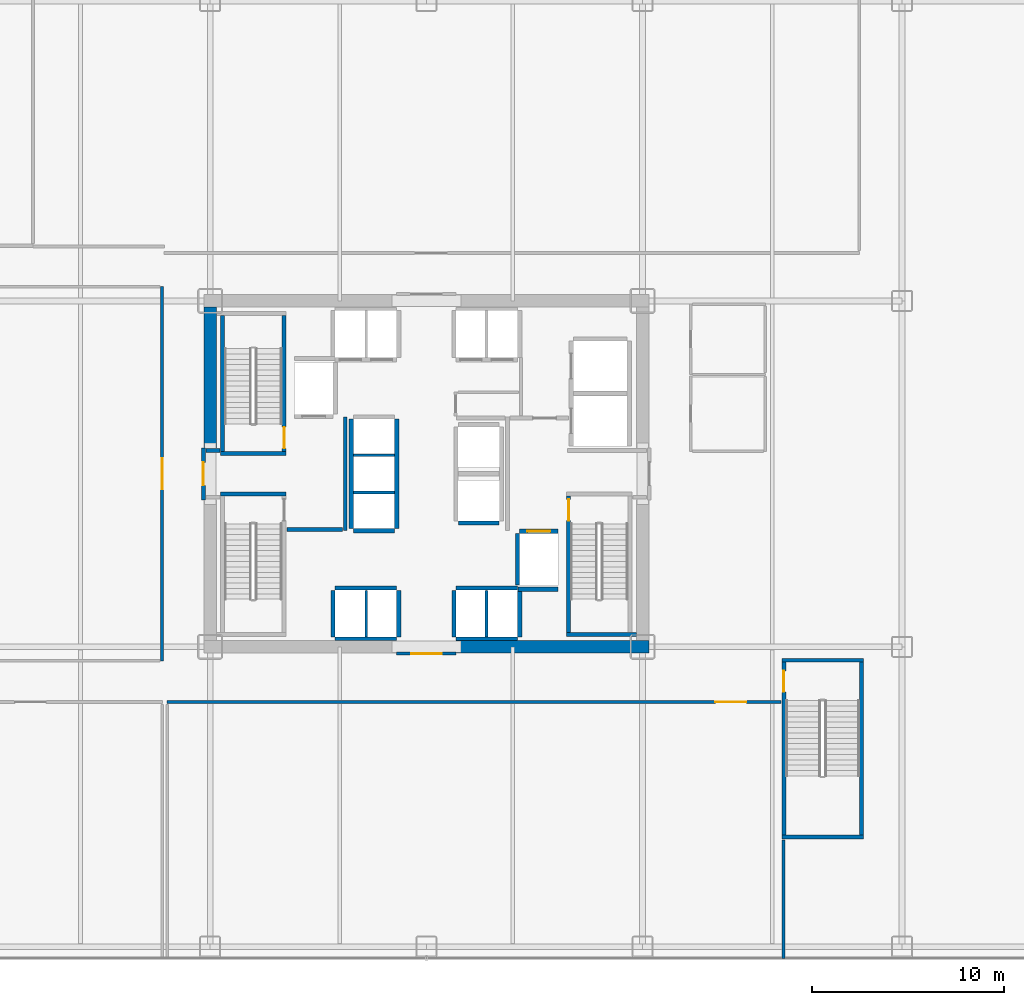
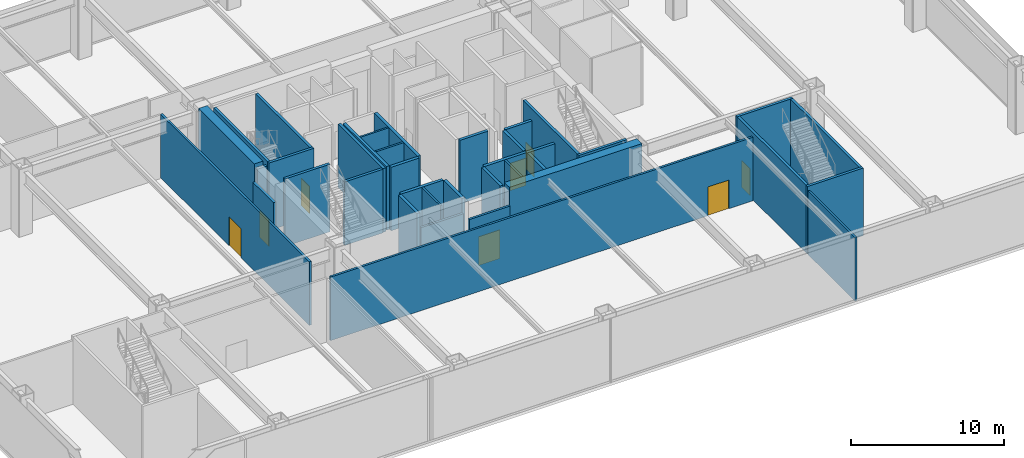
# One storey, part 17 of 24: 39 walls, 8 doors, 8 openings.
"""IFC4 building model written with IfcOpenShell, lengths in metres."""

from ifc_helpers import new_model, si_unit, direction, frame, frame_2d, origin, place, context, subcontext, project, spatial, rectangle, extrude, source, transform, mapped, material, layer, layer_set, type_object, element, fill, save


model = new_model("IFC4")

# Units and contexts
model_context = context("Model", 3, precision=1e-05, world=origin(), true_north=direction((0.0, 1.0)))
body_context = subcontext(model_context, "Body", "Model", "MODEL_VIEW")
ifc_project = project(units=[si_unit("LENGTHUNIT", "METRE"), si_unit("AREAUNIT", "SQUARE_METRE"), si_unit("VOLUMEUNIT", "CUBIC_METRE"), si_unit("PLANEANGLEUNIT", "RADIAN"), si_unit("MASSUNIT", "GRAM", prefix="KILO")], contexts=[model_context])

# Site, building, storey
site_placement = place(None, origin())
site = spatial("IfcSite", under=ifc_project, at=site_placement, CompositionType="ELEMENT")
building_placement = place(site_placement, origin())
building = spatial("IfcBuilding", under=site, at=building_placement, Name="Nefas-Gora Pilgrimage Tower", CompositionType="ELEMENT")
storey_placement = place(building_placement, frame((0.0, 0.0, 6.0)))
storey = spatial("IfcBuildingStorey", under=building, at=storey_placement, Name="L01", CompositionType="ELEMENT", Elevation=6.0)

# Walls
ifc_material_1 = material(Name="Concrete C60/75", Category="concrete")
ifc_layer_1 = layer(ifc_material_1, 0.64990234375)
ifc_layer_set_1 = layer_set([ifc_layer_1], Name="Concrete C60/75")
wall_type_1 = type_object("IfcWallType", Name="SW-CORE-650", PredefinedType="SHEAR", material=ifc_layer_set_1)
shared_shape_1 = source(origin(), body_context, "Body", "SweptSolid", [
    extrude(rectangle(XDim=10.02490234375, YDim=0.64990234375, at=frame_2d((5.012451171875, 0.0))), origin(), (0.0, 0.0, 1.0), 5.39990234375),
])
wall_1_placement = place(storey_placement, frame((1.550048828125, -9.0, 0.0), z_axis=(0.0, 0.0, 1.0), x_axis=(1.0, 0.0, 0.0)))
element("IfcWall", 1, at=wall_1_placement, inside=storey, type_object=wall_type_1, Name="L01 Core Shear Wall S-East", PredefinedType="SHEAR", context=body_context, shape_type="MappedRepresentation", body=[
    mapped(shared_shape_1, transform((0.0, 0.0, 0.0), x_axis=(1.0, 0.0, 0.0), y_axis=(0.0, 1.0, 0.0), z_axis=(0.0, 0.0, 1.0), scale=1.0)),
])
shared_shape_2 = source(origin(), body_context, "Body", "SweptSolid", [
    extrude(rectangle(XDim=7.324951171875, YDim=0.64990234375, at=frame_2d((3.66259765625, 0.0))), origin(), (0.0, 0.0, 1.0), 5.39990234375),
])
wall_2_placement = place(storey_placement, frame((-11.25, 1.35009765625, 0.0), z_axis=(0.0, 0.0, 1.0), x_axis=(0.0, 1.0, 0.0)))
element("IfcWall", 2, at=wall_2_placement, inside=storey, type_object=wall_type_1, Name="L01 Core Shear Wall W-North", PredefinedType="SHEAR", context=body_context, shape_type="MappedRepresentation", body=[
    mapped(shared_shape_2, transform((0.0, 0.0, 0.0), x_axis=(1.0, 0.0, 0.0), y_axis=(0.0, 1.0, 0.0), z_axis=(0.0, 0.0, 1.0), scale=1.0)),
])
ifc_material_2 = material(Name="Concrete C45/55", Category="concrete")
ifc_layer_2 = layer(ifc_material_2, 0.199951171875)
ifc_layer_set_2 = layer_set([ifc_layer_2], Name="Concrete C45/55")
wall_type_2 = type_object("IfcWallType", Name="IW-STAIR-200", PredefinedType="SOLIDWALL", material=ifc_layer_set_2)
shared_shape_3 = source(origin(), body_context, "Body", "SweptSolid", [
    extrude(rectangle(XDim=3.39990234375, YDim=0.199951171875, at=frame_2d((1.699951171875, 0.0))), origin(), (0.0, 0.0, 1.0), 5.39990234375),
])
for number, where, z_axis, x_axis, name in (
    (3, (-7.300048828125, 1.050048828125, 0.0), (0.0, 0.0, 1.0), (-1.0, 0.0, 0.0), "L01 Stairwell Shear Wall ST-01-near"),
    (4, (-10.699951171875, -1.050048828125, 0.0), (0.0, 0.0, 1.0), (1.0, 0.0, 0.0), "L01 Stairwell Shear Wall ST-03-near"),
):
    element("IfcWall", number, at=place(storey_placement, frame(where, z_axis=z_axis, x_axis=x_axis)), inside=storey, type_object=wall_type_2, Name=name, PredefinedType="SOLIDWALL", context=body_context, shape_type="MappedRepresentation", body=[
        mapped(shared_shape_3, transform((0.0, 0.0, 0.0), x_axis=(1.0, 0.0, 0.0), y_axis=(0.0, 1.0, 0.0), z_axis=(0.0, 0.0, 1.0), scale=1.0)),
    ])
shared_shape_4 = source(origin(), body_context, "Body", "SweptSolid", [
    extrude(rectangle(XDim=3.6298828125, YDim=0.199951171875, at=frame_2d((1.81494140625, 0.0))), origin(), (0.0, 0.0, 1.0), 5.39990234375),
])
wall_3_placement = place(storey_placement, frame((7.300048828125, -8.35009765625, 0.0), z_axis=(0.0, 0.0, 1.0), x_axis=(1.0, 0.0, 0.0)))
element("IfcWall", 5, at=wall_3_placement, inside=storey, type_object=wall_type_2, Name="L01 Stairwell Shear Wall ST-02-far", PredefinedType="SOLIDWALL", context=body_context, shape_type="MappedRepresentation", body=[
    mapped(shared_shape_4, transform((0.0, 0.0, 0.0), x_axis=(1.0, 0.0, 0.0), y_axis=(0.0, 1.0, 0.0), z_axis=(0.0, 0.0, 1.0), scale=1.0)),
])

# Wall, opening, door
shared_shape_5 = source(origin(), body_context, "Body", "SweptSolid", [
    extrude(rectangle(XDim=7.10009765625, YDim=0.199951171875, at=frame_2d((3.550048828125, 0.0))), origin(), (0.0, 0.0, 1.0), 5.39990234375),
])
wall_4_placement = place(storey_placement, frame((-7.39990234375, 1.14990234375, 0.0), z_axis=(0.0, 0.0, 1.0), x_axis=(0.0, 1.0, 0.0)))
wall_4 = element("IfcWall", 6, at=wall_4_placement, inside=storey, type_object=wall_type_2, Name="L01 Stairwell Shear Wall ST-01-left", PredefinedType="SOLIDWALL", context=body_context, shape_type="MappedRepresentation", body=[
    mapped(shared_shape_5, transform((0.0, 0.0, 0.0), x_axis=(1.0, 0.0, 0.0), y_axis=(0.0, 1.0, 0.0), z_axis=(0.0, 0.0, 1.0), scale=1.0)),
])
opening_1_placement = place(wall_4_placement, frame((0.179931640625, 0.0, 0.0)))
opening_1 = element("IfcOpeningElement", 7, at=opening_1_placement, cuts=wall_4, Name="Opening ID-ST1", PredefinedType="OPENING", context=body_context, shape_type="SweptSolid", body=[
    extrude(rectangle(XDim=1.10009765625, YDim=2.14990234375, at=frame_2d((0.550048828125, 1.074951171875))), frame((0.0, 0.10986328125, 0.0), z_axis=(0.0, -1.0, 0.0), x_axis=(1.0, 0.0, 0.0)), (0.0, 0.0, 1.0), 0.219970703125),
])
ifc_material_3 = material(Name="Painted galvanised steel fire stair door", Category="steel")
door_type_1 = type_object("IfcDoorType", Name="DR-INT-STAIR-1100", OperationType="NOTDEFINED", PredefinedType="DOOR", material=ifc_material_3)
shared_shape_6 = source(origin(), body_context, "Body", "SweptSolid", [
    extrude(rectangle(XDim=1.10009765625, YDim=2.14990234375, at=frame_2d((0.550048828125, 1.074951171875))), frame((0.0, 0.02490234375, 0.0), z_axis=(0.0, -1.0, 0.0), x_axis=(1.0, 0.0, 0.0)), (0.0, 0.0, 1.0), 0.050048828125),
])
door_1_placement = place(opening_1_placement, origin())
door_1 = element("IfcDoor", 8, at=door_1_placement, inside=storey, type_object=door_type_1, Name="L01 Protected Exit Stair Door ST-01", OperationType="SINGLE_SWING_LEFT", OverallHeight=2.14990234375, OverallWidth=1.10009765625, PredefinedType="DOOR", context=body_context, shape_type="MappedRepresentation", body=[
    mapped(shared_shape_6, transform((0.0, 0.0, 0.0), x_axis=(1.0, 0.0, 0.0), y_axis=(0.0, 1.0, 0.0), z_axis=(0.0, 0.0, 1.0), scale=1.0)),
])
fill(opening_1, door_1)

# Wall
wall_5_placement = place(storey_placement, frame((-10.60009765625, 1.14990234375, 0.0), z_axis=(0.0, 0.0, 1.0), x_axis=(0.0, 1.0, 0.0)))
element("IfcWall", 9, at=wall_5_placement, inside=storey, type_object=wall_type_2, Name="L01 Stairwell Shear Wall ST-01-right", PredefinedType="SOLIDWALL", context=body_context, shape_type="MappedRepresentation", body=[
    mapped(shared_shape_5, transform((0.0, 0.0, 0.0), x_axis=(1.0, 0.0, 0.0), y_axis=(0.0, 1.0, 0.0), z_axis=(0.0, 0.0, 1.0), scale=1.0)),
])

# Wall, opening, door
wall_6_placement = place(storey_placement, frame((7.39990234375, -1.14990234375, 0.0), z_axis=(0.0, 0.0, 1.0), x_axis=(0.0, -1.0, 0.0)))
wall_6 = element("IfcWall", 10, at=wall_6_placement, inside=storey, type_object=wall_type_2, Name="L01 Stairwell Shear Wall ST-02-left", PredefinedType="SOLIDWALL", context=body_context, shape_type="MappedRepresentation", body=[
    mapped(shared_shape_5, transform((0.0, 0.0, 0.0), x_axis=(1.0, 0.0, 0.0), y_axis=(0.0, 1.0, 0.0), z_axis=(0.0, 0.0, 1.0), scale=1.0)),
])
opening_2_placement = place(wall_6_placement, frame((0.179931640625, 0.0, 0.0)))
opening_2 = element("IfcOpeningElement", 11, at=opening_2_placement, cuts=wall_6, Name="Opening ID-ST1", PredefinedType="OPENING", context=body_context, shape_type="SweptSolid", body=[
    extrude(rectangle(XDim=1.10009765625, YDim=2.14990234375, at=frame_2d((0.550048828125, 1.074951171875))), frame((0.0, 0.10986328125, 0.0), z_axis=(0.0, -1.0, 0.0), x_axis=(1.0, 0.0, 0.0)), (0.0, 0.0, 1.0), 0.219970703125),
])
door_2_placement = place(opening_2_placement, origin())
door_2 = element("IfcDoor", 12, at=door_2_placement, inside=storey, type_object=door_type_1, Name="L01 Protected Exit Stair Door ST-02", OperationType="SINGLE_SWING_RIGHT", OverallHeight=2.14990234375, OverallWidth=1.10009765625, PredefinedType="DOOR", context=body_context, shape_type="MappedRepresentation", body=[
    mapped(shared_shape_6, transform((0.0, 0.0, 0.0), x_axis=(1.0, 0.0, 0.0), y_axis=(0.0, 1.0, 0.0), z_axis=(0.0, 0.0, 1.0), scale=1.0)),
])
fill(opening_2, door_2)

# Walls
shared_shape_7 = source(origin(), body_context, "Body", "SweptSolid", [
    extrude(rectangle(XDim=4.239990234375, YDim=0.199951171875, at=frame_2d((2.1201171875, 0.0))), origin(), (0.0, 0.0, 1.0), 5.39990234375),
])
for number, where, z_axis, x_axis, name in (
    (13, (18.5, -9.699951171875, 0.0), (0.0, 0.0, 1.0), (1.0, 0.0, 0.0), "L01 Stairwell Shear Wall ST-06-near"),
    (14, (18.5, -18.89990234375, 0.0), (0.0, 0.0, 1.0), (1.0, 0.0, 0.0), "L01 Stairwell Shear Wall ST-06-far"),
):
    element("IfcWall", number, at=place(storey_placement, frame(where, z_axis=z_axis, x_axis=x_axis)), inside=storey, type_object=wall_type_2, Name=name, PredefinedType="SOLIDWALL", context=body_context, shape_type="MappedRepresentation", body=[
        mapped(shared_shape_7, transform((0.0, 0.0, 0.0), x_axis=(1.0, 0.0, 0.0), y_axis=(0.0, 1.0, 0.0), z_axis=(0.0, 0.0, 1.0), scale=1.0)),
    ])

# Wall, opening, door
shared_shape_8 = source(origin(), body_context, "Body", "SweptSolid", [
    extrude(rectangle(XDim=9.0, YDim=0.199951171875, at=frame_2d((4.5, 0.0))), origin(), (0.0, 0.0, 1.0), 5.39990234375),
])
wall_7_placement = place(storey_placement, frame((18.60009765625, -9.800048828125, 0.0), z_axis=(0.0, 0.0, 1.0), x_axis=(0.0, -1.0, 0.0)))
wall_7 = element("IfcWall", 15, at=wall_7_placement, inside=storey, type_object=wall_type_2, Name="L01 Stairwell Shear Wall ST-06-left", PredefinedType="SOLIDWALL", context=body_context, shape_type="MappedRepresentation", body=[
    mapped(shared_shape_8, transform((0.0, 0.0, 0.0), x_axis=(1.0, 0.0, 0.0), y_axis=(0.0, 1.0, 0.0), z_axis=(0.0, 0.0, 1.0), scale=1.0)),
])
opening_3_placement = place(wall_7_placement, frame((0.449951171875, 0.0, 0.0)))
opening_3 = element("IfcOpeningElement", 16, at=opening_3_placement, cuts=wall_7, Name="Opening ID-ST1", PredefinedType="OPENING", context=body_context, shape_type="SweptSolid", body=[
    extrude(rectangle(XDim=1.10009765625, YDim=2.14990234375, at=frame_2d((0.550048828125, 1.074951171875))), frame((0.0, 0.10986328125, 0.0), z_axis=(0.0, -1.0, 0.0), x_axis=(1.0, 0.0, 0.0)), (0.0, 0.0, 1.0), 0.219970703125),
])
door_3_placement = place(opening_3_placement, origin())
door_3 = element("IfcDoor", 17, at=door_3_placement, inside=storey, type_object=door_type_1, Name="L01 Protected Exit Stair Door ST-06", OperationType="SINGLE_SWING_LEFT", OverallHeight=2.14990234375, OverallWidth=1.10009765625, PredefinedType="DOOR", context=body_context, shape_type="MappedRepresentation", body=[
    mapped(shared_shape_6, transform((0.0, 0.0, 0.0), x_axis=(1.0, 0.0, 0.0), y_axis=(0.0, 1.0, 0.0), z_axis=(0.0, 0.0, 1.0), scale=1.0)),
])
fill(opening_3, door_3)

# Wall
wall_8_placement = place(storey_placement, frame((22.639892578125, -9.800048828125, 0.0), z_axis=(0.0, 0.0, 1.0), x_axis=(0.0, -1.0, 0.0)))
element("IfcWall", 18, at=wall_8_placement, inside=storey, type_object=wall_type_2, Name="L01 Stairwell Shear Wall ST-06-right", PredefinedType="SOLIDWALL", context=body_context, shape_type="MappedRepresentation", body=[
    mapped(shared_shape_8, transform((0.0, 0.0, 0.0), x_axis=(1.0, 0.0, 0.0), y_axis=(0.0, 1.0, 0.0), z_axis=(0.0, 0.0, 1.0), scale=1.0)),
])

# Wall, opening, door
ifc_material_4 = material(Name="Concrete C40/50", Category="concrete")
ifc_layer_3 = layer(ifc_material_4, 0.219970703125)
ifc_layer_set_3 = layer_set([ifc_layer_3], Name="Concrete C40/50")
wall_type_3 = type_object("IfcWallType", Name="IW-SHAFT-220", PredefinedType="SOLIDWALL", material=ifc_layer_set_3)
shared_shape_9 = source(origin(), body_context, "Body", "SweptSolid", [
    extrude(rectangle(XDim=2.0, YDim=0.219970703125, at=frame_2d((1.0, 0.0))), origin(), (0.0, 0.0, 1.0), 5.0849609375),
])
wall_9_placement = place(storey_placement, frame((6.85009765625, -2.989990234375, 0.0), z_axis=(0.0, 0.0, 1.0), x_axis=(-1.0, 0.0, 0.0)))
wall_9 = element("IfcWall", 19, at=wall_9_placement, inside=storey, type_object=wall_type_3, Name="L01 Hoistway Wall FFL-02-N", PredefinedType="SOLIDWALL", context=body_context, shape_type="MappedRepresentation", body=[
    mapped(shared_shape_9, transform((0.0, 0.0, 0.0), x_axis=(1.0, 0.0, 0.0), y_axis=(0.0, 1.0, 0.0), z_axis=(0.0, 0.0, 1.0), scale=1.0)),
])
opening_4_placement = place(wall_9_placement, frame((0.39990234375, 0.0, 0.0)))
opening_4 = element("IfcOpeningElement", 20, at=opening_4_placement, cuts=wall_9, Name="Opening LD-FF", PredefinedType="OPENING", context=body_context, shape_type="SweptSolid", body=[
    extrude(rectangle(XDim=1.199951171875, YDim=2.199951171875, at=frame_2d((0.60009765625, 1.10009765625))), frame((0.0, 0.119873046875, 0.0), z_axis=(0.0, -1.0, 0.0), x_axis=(1.0, 0.0, 0.0)), (0.0, 0.0, 1.0), 0.239990234375),
])
ifc_material_5 = material(Name="Fire-service sliding lift landing door")
door_type_2 = type_object("IfcDoorType", Name="DR-LIFT-FSAE-1200", OperationType="SLIDING_TO_LEFT", PredefinedType="DOOR", material=ifc_material_5)
shared_shape_10 = source(origin(), body_context, "Body", "SweptSolid", [
    extrude(rectangle(XDim=1.199951171875, YDim=2.199951171875, at=frame_2d((0.60009765625, 1.10009765625))), frame((0.0, 0.02490234375, 0.0), z_axis=(0.0, -1.0, 0.0), x_axis=(1.0, 0.0, 0.0)), (0.0, 0.0, 1.0), 0.050048828125),
])
door_4_placement = place(opening_4_placement, origin())
door_4 = element("IfcDoor", 21, at=door_4_placement, inside=storey, type_object=door_type_2, Name="L01 Sliding Lift Landing Door FFL-02", OperationType="SLIDING_TO_LEFT", OverallHeight=2.199951171875, OverallWidth=1.199951171875, PredefinedType="DOOR", context=body_context, shape_type="MappedRepresentation", body=[
    mapped(shared_shape_10, transform((0.0, 0.0, 0.0), x_axis=(1.0, 0.0, 0.0), y_axis=(0.0, 1.0, 0.0), z_axis=(0.0, 0.0, 1.0), scale=1.0)),
])
fill(opening_4, door_4)

# Walls
shared_shape_11 = source(origin(), body_context, "Body", "SweptSolid", [
    extrude(rectangle(XDim=2.679931640625, YDim=0.219970703125, at=frame_2d((1.33984375, 0.0))), origin(), (0.0, 0.0, 1.0), 5.0849609375),
])
wall_10_placement = place(storey_placement, frame((4.739990234375, -3.110107421875, 0.0), z_axis=(0.0, 0.0, 1.0), x_axis=(0.0, -1.0, 0.0)))
element("IfcWall", 22, at=wall_10_placement, inside=storey, type_object=wall_type_3, Name="L01 Hoistway Wall FFL-02-W", PredefinedType="SOLIDWALL", context=body_context, shape_type="MappedRepresentation", body=[
    mapped(shared_shape_11, transform((0.0, 0.0, 0.0), x_axis=(1.0, 0.0, 0.0), y_axis=(0.0, 1.0, 0.0), z_axis=(0.0, 0.0, 1.0), scale=1.0)),
])
shared_shape_12 = source(origin(), body_context, "Body", "SweptSolid", [
    extrude(rectangle(XDim=3.199951171875, YDim=0.219970703125, at=frame_2d((1.60009765625, 0.0))), origin(), (0.0, 0.0, 1.0), 5.0849609375),
])
for number, where, z_axis, x_axis, name in (
    (23, (-1.550048828125, -5.93994140625, 0.0), (0.0, 0.0, 1.0), (-1.0, 0.0, 0.0), "L01 Hoistway Wall PL2-W-N"),
    (24, (4.75, -5.93994140625, 0.0), (0.0, 0.0, 1.0), (-1.0, 0.0, 0.0), "L01 Hoistway Wall PL2-E-N"),
):
    element("IfcWall", number, at=place(storey_placement, frame(where, z_axis=z_axis, x_axis=x_axis)), inside=storey, type_object=wall_type_3, Name=name, PredefinedType="SOLIDWALL", context=body_context, shape_type="MappedRepresentation", body=[
        mapped(shared_shape_12, transform((0.0, 0.0, 0.0), x_axis=(1.0, 0.0, 0.0), y_axis=(0.0, 1.0, 0.0), z_axis=(0.0, 0.0, 1.0), scale=1.0)),
    ])
ifc_material_6 = material(Name="Gypsum acoustic stud partition")
ifc_layer_4 = layer(ifc_material_6, 0.159912109375)
ifc_layer_set_4 = layer_set([ifc_layer_4], Name="Gypsum acoustic stud partition")
wall_type_4 = type_object("IfcWallType", Name="IW-CORR-160", PredefinedType="PARTITIONING", material=ifc_layer_set_4)
shared_shape_13 = source(origin(), body_context, "Body", "SweptSolid", [
    extrude(rectangle(XDim=3.199951171875, YDim=0.159912109375, at=frame_2d((1.60009765625, 0.0))), origin(), (0.0, 0.0, 1.0), 3.97509765625),
])
for number, where, z_axis, x_axis, name in (
    (25, (-4.75, -8.580078125, 0.0), (0.0, 0.0, 1.0), (1.0, 0.0, 0.0), "L01 Hoistway Wall PL2-W-S"),
    (26, (1.550048828125, -8.580078125, 0.0), (0.0, 0.0, 1.0), (1.0, 0.0, 0.0), "L01 Hoistway Wall PL2-E-S"),
):
    element("IfcWall", number, at=place(storey_placement, frame(where, z_axis=z_axis, x_axis=x_axis)), inside=storey, type_object=wall_type_4, Name=name, PredefinedType="PARTITIONING", context=body_context, shape_type="MappedRepresentation", body=[
        mapped(shared_shape_13, transform((0.0, 0.0, 0.0), x_axis=(1.0, 0.0, 0.0), y_axis=(0.0, 1.0, 0.0), z_axis=(0.0, 0.0, 1.0), scale=1.0)),
    ])
shared_shape_14 = source(origin(), body_context, "Body", "SweptSolid", [
    extrude(rectangle(XDim=2.429931640625, YDim=0.219970703125, at=frame_2d((1.21484375, 0.0))), origin(), (0.0, 0.0, 1.0), 5.0849609375),
])
for number, where, z_axis, x_axis, name in (
    (27, (-4.860107421875, -6.06005859375, 0.0), (0.0, 0.0, 1.0), (0.0, -1.0, 0.0), "L01 Hoistway Wall PL2-W-W"),
    (28, (-1.43994140625, -8.489990234375, 0.0), (0.0, 0.0, 1.0), (0.0, 1.0, 0.0), "L01 Hoistway Wall PL2-W-E"),
    (29, (1.43994140625, -6.06005859375, 0.0), (0.0, 0.0, 1.0), (0.0, -1.0, 0.0), "L01 Hoistway Wall PL2-E-W"),
    (30, (4.860107421875, -8.489990234375, 0.0), (0.0, 0.0, 1.0), (0.0, 1.0, 0.0), "L01 Hoistway Wall PL2-E-E"),
):
    element("IfcWall", number, at=place(storey_placement, frame(where, z_axis=z_axis, x_axis=x_axis)), inside=storey, type_object=wall_type_3, Name=name, PredefinedType="SOLIDWALL", context=body_context, shape_type="MappedRepresentation", body=[
        mapped(shared_shape_14, transform((0.0, 0.0, 0.0), x_axis=(1.0, 0.0, 0.0), y_axis=(0.0, 1.0, 0.0), z_axis=(0.0, 0.0, 1.0), scale=1.0)),
    ])
ifc_material_7 = material(Name="Gypsum twin-stud partition")
ifc_layer_5 = layer(ifc_material_7, 0.139892578125)
ifc_layer_set_5 = layer_set([ifc_layer_5], Name="Gypsum twin-stud partition")
wall_type_5 = type_object("IfcWallType", Name="IW-UNIT-140", PredefinedType="PARTITIONING", material=ifc_layer_set_5)
shared_shape_15 = source(origin(), body_context, "Body", "SweptSolid", [
    extrude(rectangle(XDim=2.429931640625, YDim=0.139892578125, at=frame_2d((1.21484375, 0.0))), origin(), (0.0, 0.0, 1.0), 5.0849609375),
])
for number, where, z_axis, x_axis, name in (
    (31, (-3.125, -8.489990234375, 0.0), (0.0, 0.0, 1.0), (0.0, 1.0, 0.0), "L01 Hoistway Wall PL2-W-DIV"),
    (32, (3.125, -8.489990234375, 0.0), (0.0, 0.0, 1.0), (0.0, 1.0, 0.0), "L01 Hoistway Wall PL2-E-DIV"),
):
    element("IfcWall", number, at=place(storey_placement, frame(where, z_axis=z_axis, x_axis=x_axis)), inside=storey, type_object=wall_type_5, Name=name, PredefinedType="PARTITIONING", context=body_context, shape_type="MappedRepresentation", body=[
        mapped(shared_shape_15, transform((0.0, 0.0, 0.0), x_axis=(1.0, 0.0, 0.0), y_axis=(0.0, 1.0, 0.0), z_axis=(0.0, 0.0, 1.0), scale=1.0)),
    ])
shared_shape_16 = source(origin(), body_context, "Body", "SweptSolid", [
    extrude(rectangle(XDim=5.7001953125, YDim=0.219970703125, at=frame_2d((2.85009765625, 0.0))), origin(), (0.0, 0.0, 1.0), 5.0849609375),
])
for number, where, z_axis, x_axis, name in (
    (33, (-1.5400390625, -2.85009765625, 0.0), (0.0, 0.0, 1.0), (0.0, 1.0, 0.0), "L01 Hoistway Wall PL3-01-03-E"),
    (34, (-3.909912109375, 2.85009765625, 0.0), (0.0, 0.0, 1.0), (0.0, -1.0, 0.0), "L01 Hoistway Wall PL3-01-03-W"),
):
    element("IfcWall", number, at=place(storey_placement, frame(where, z_axis=z_axis, x_axis=x_axis)), inside=storey, type_object=wall_type_3, Name=name, PredefinedType="SOLIDWALL", context=body_context, shape_type="MappedRepresentation", body=[
        mapped(shared_shape_16, transform((0.0, 0.0, 0.0), x_axis=(1.0, 0.0, 0.0), y_axis=(0.0, 1.0, 0.0), z_axis=(0.0, 0.0, 1.0), scale=1.0)),
    ])
shared_shape_17 = source(origin(), body_context, "Body", "SweptSolid", [
    extrude(rectangle(XDim=2.130126953125, YDim=0.219970703125, at=frame_2d((1.06494140625, 0.0))), origin(), (0.0, 0.0, 1.0), 5.0849609375),
])
for number, where, z_axis, x_axis, name in (
    (35, (-3.7900390625, -2.9599609375, 0.0), (0.0, 0.0, 1.0), (1.0, 0.0, 0.0), "L01 Hoistway Wall PL3-01-S"),
    (36, (1.659912109375, -2.56005859375, 0.0), (0.0, 0.0, 1.0), (1.0, 0.0, 0.0), "L01 Hoistway Wall OBS-01-S"),
):
    element("IfcWall", number, at=place(storey_placement, frame(where, z_axis=z_axis, x_axis=x_axis)), inside=storey, type_object=wall_type_3, Name=name, PredefinedType="SOLIDWALL", context=body_context, shape_type="MappedRepresentation", body=[
        mapped(shared_shape_17, transform((0.0, 0.0, 0.0), x_axis=(1.0, 0.0, 0.0), y_axis=(0.0, 1.0, 0.0), z_axis=(0.0, 0.0, 1.0), scale=1.0)),
    ])
shared_shape_18 = source(origin(), body_context, "Body", "SweptSolid", [
    extrude(rectangle(XDim=2.130126953125, YDim=0.139892578125, at=frame_2d((1.06494140625, 0.0))), origin(), (0.0, 0.0, 1.0), 5.0849609375),
])
for number, where, z_axis, x_axis, name in (
    (37, (-3.7900390625, -0.97509765625, 0.0), (0.0, 0.0, 1.0), (1.0, 0.0, 0.0), "L01 Hoistway Wall PL3-01-02-DIV"),
    (38, (-3.7900390625, 0.97509765625, 0.0), (0.0, 0.0, 1.0), (1.0, 0.0, 0.0), "L01 Hoistway Wall PL3-02-03-DIV"),
):
    element("IfcWall", number, at=place(storey_placement, frame(where, z_axis=z_axis, x_axis=x_axis)), inside=storey, type_object=wall_type_5, Name=name, PredefinedType="PARTITIONING", context=body_context, shape_type="MappedRepresentation", body=[
        mapped(shared_shape_18, transform((0.0, 0.0, 0.0), x_axis=(1.0, 0.0, 0.0), y_axis=(0.0, 1.0, 0.0), z_axis=(0.0, 0.0, 1.0), scale=1.0)),
    ])
shared_shape_19 = source(origin(), body_context, "Body", "SweptSolid", [
    extrude(rectangle(XDim=2.09521484375, YDim=0.219970703125, at=frame_2d((1.047607421875, 0.0))), origin(), (0.0, 0.0, 1.0), 5.0849609375),
])
wall_11_placement = place(storey_placement, frame((4.7548828125, -6.0, 0.0), z_axis=(0.0, 0.0, 1.0), x_axis=(1.0, 0.0, 0.0)))
element("IfcWall", 39, at=wall_11_placement, inside=storey, type_object=wall_type_3, Name="L01 Riser Shaft Wall 2", PredefinedType="SOLIDWALL", context=body_context, shape_type="MappedRepresentation", body=[
    mapped(shared_shape_19, transform((0.0, 0.0, 0.0), x_axis=(1.0, 0.0, 0.0), y_axis=(0.0, 1.0, 0.0), z_axis=(0.0, 0.0, 1.0), scale=1.0)),
])

# Wall, opening, door
ifc_material_8 = material(Name="Gypsum fire-rated shaftwall")
ifc_layer_6 = layer(ifc_material_8, 0.199951171875)
ifc_layer_set_6 = layer_set([ifc_layer_6], Name="Gypsum fire-rated shaftwall")
wall_type_6 = type_object("IfcWallType", Name="IW-FFLOB-200", PredefinedType="PARTITIONING", material=ifc_layer_set_6)
shared_shape_20 = source(origin(), body_context, "Body", "SweptSolid", [
    extrude(rectangle(XDim=2.7001953125, YDim=0.199951171875, at=frame_2d((1.35009765625, 0.0))), origin(), (0.0, 0.0, 1.0), 3.97509765625),
])
wall_12_placement = place(storey_placement, frame((-11.60009765625, -1.35009765625, 0.0), z_axis=(0.0, 0.0, 1.0), x_axis=(0.0, 1.0, 0.0)))
wall_12 = element("IfcWall", 40, at=wall_12_placement, inside=storey, type_object=wall_type_6, Name="L01 FF Lobby West Portal Wall 3", PredefinedType="PARTITIONING", context=body_context, shape_type="MappedRepresentation", body=[
    mapped(shared_shape_20, transform((0.0, 0.0, 0.0), x_axis=(1.0, 0.0, 0.0), y_axis=(0.0, 1.0, 0.0), z_axis=(0.0, 0.0, 1.0), scale=1.0)),
])
opening_5_placement = place(wall_12_placement, frame((0.75, 0.0, 0.0)))
opening_5 = element("IfcOpeningElement", 41, at=opening_5_placement, cuts=wall_12, Name="Opening ID-FF1", PredefinedType="OPENING", context=body_context, shape_type="SweptSolid", body=[
    extrude(rectangle(XDim=1.199951171875, YDim=2.14990234375, at=frame_2d((0.60009765625, 1.074951171875))), frame((0.0, 0.10986328125, 0.0), z_axis=(0.0, -1.0, 0.0), x_axis=(1.0, 0.0, 0.0)), (0.0, 0.0, 1.0), 0.219970703125),
])
ifc_material_9 = material(Name="Smoke-sealed steel firefighting lobby door", Category="steel")
door_type_3 = type_object("IfcDoorType", Name="DR-INT-FFLOB-1200", OperationType="NOTDEFINED", PredefinedType="DOOR", material=ifc_material_9)
shared_shape_21 = source(origin(), body_context, "Body", "SweptSolid", [
    extrude(rectangle(XDim=1.199951171875, YDim=2.14990234375, at=frame_2d((0.60009765625, 1.074951171875))), frame((0.0, 0.02490234375, 0.0), z_axis=(0.0, -1.0, 0.0), x_axis=(1.0, 0.0, 0.0)), (0.0, 0.0, 1.0), 0.050048828125),
])
door_5_placement = place(opening_5_placement, origin())
door_5 = element("IfcDoor", 42, at=door_5_placement, inside=storey, type_object=door_type_3, Name="L01 FF Lobby West Portal Door 1", OperationType="SINGLE_SWING_LEFT", OverallHeight=2.14990234375, OverallWidth=1.199951171875, PredefinedType="DOOR", context=body_context, shape_type="MappedRepresentation", body=[
    mapped(shared_shape_21, transform((0.0, 0.0, 0.0), x_axis=(1.0, 0.0, 0.0), y_axis=(0.0, 1.0, 0.0), z_axis=(0.0, 0.0, 1.0), scale=1.0)),
])
fill(opening_5, door_5)

# Walls
shared_shape_22 = source(origin(), body_context, "Body", "SweptSolid", [
    extrude(rectangle(XDim=5.89990234375, YDim=0.199951171875, at=frame_2d((2.949951171875, 0.0))), origin(), (0.0, 0.0, 1.0), 5.0849609375),
])
wall_13_placement = place(storey_placement, frame((-4.219970703125, -2.949951171875, 0.0), z_axis=(0.0, 0.0, 1.0), x_axis=(0.0, 1.0, 0.0)))
element("IfcWall", 43, at=wall_13_placement, inside=storey, type_object=wall_type_6, Name="L01 FF Lobby West Inner Wall Wall 4", PredefinedType="PARTITIONING", context=body_context, shape_type="MappedRepresentation", body=[
    mapped(shared_shape_22, transform((0.0, 0.0, 0.0), x_axis=(1.0, 0.0, 0.0), y_axis=(0.0, 1.0, 0.0), z_axis=(0.0, 0.0, 1.0), scale=1.0)),
])
shared_shape_23 = source(origin(), body_context, "Body", "SweptSolid", [
    extrude(rectangle(XDim=2.89990234375, YDim=0.199951171875, at=frame_2d((1.449951171875, 0.0))), origin(), (0.0, 0.0, 1.0), 5.0849609375),
])
wall_14_placement = place(storey_placement, frame((-7.260009765625, -2.89990234375, 0.0), z_axis=(0.0, 0.0, 1.0), x_axis=(1.0, 0.0, 0.0)))
element("IfcWall", 44, at=wall_14_placement, inside=storey, type_object=wall_type_6, Name="L01 FF Lobby West South Wall Wall 5", PredefinedType="PARTITIONING", context=body_context, shape_type="MappedRepresentation", body=[
    mapped(shared_shape_23, transform((0.0, 0.0, 0.0), x_axis=(1.0, 0.0, 0.0), y_axis=(0.0, 1.0, 0.0), z_axis=(0.0, 0.0, 1.0), scale=1.0)),
])
shared_shape_24 = source(origin(), body_context, "Body", "SweptSolid", [
    extrude(rectangle(XDim=0.719970703125, YDim=0.199951171875, at=frame_2d((0.35986328125, 0.0))), origin(), (0.0, 0.0, 1.0), 5.0849609375),
])
wall_15_placement = place(storey_placement, frame((-11.4599609375, 1.219970703125, 0.0), z_axis=(0.0, 0.0, 1.0), x_axis=(1.0, 0.0, 0.0)))
element("IfcWall", 45, at=wall_15_placement, inside=storey, type_object=wall_type_6, Name="L01 FF Lobby West Throat N Wall 6", PredefinedType="PARTITIONING", context=body_context, shape_type="MappedRepresentation", body=[
    mapped(shared_shape_24, transform((0.0, 0.0, 0.0), x_axis=(1.0, 0.0, 0.0), y_axis=(0.0, 1.0, 0.0), z_axis=(0.0, 0.0, 1.0), scale=1.0)),
])

# Wall, opening, door
shared_shape_25 = source(origin(), body_context, "Body", "SweptSolid", [
    extrude(rectangle(XDim=3.08984375, YDim=0.159912109375, at=frame_2d((1.544921875, 0.0))), origin(), (0.0, 0.0, 1.0), 3.97509765625),
])
wall_16_placement = place(storey_placement, frame((-1.544921875, -9.35009765625, 0.0), z_axis=(0.0, 0.0, 1.0), x_axis=(1.0, 0.0, 0.0)))
wall_16 = element("IfcWall", 46, at=wall_16_placement, inside=storey, type_object=wall_type_4, Name="L01 Central Lift Lobby South Portal Wall 15", PredefinedType="PARTITIONING", context=body_context, shape_type="MappedRepresentation", body=[
    mapped(shared_shape_25, transform((0.0, 0.0, 0.0), x_axis=(1.0, 0.0, 0.0), y_axis=(0.0, 1.0, 0.0), z_axis=(0.0, 0.0, 1.0), scale=1.0)),
])
opening_6_placement = place(wall_16_placement, frame((0.7451171875, 0.0, 0.0)))
opening_6 = element("IfcOpeningElement", 47, at=opening_6_placement, cuts=wall_16, Name="Opening ID-HL1", PredefinedType="OPENING", context=body_context, shape_type="SweptSolid", body=[
    extrude(rectangle(XDim=1.60009765625, YDim=2.300048828125, at=frame_2d((0.800048828125, 1.14990234375))), frame((0.0, 0.08984375, 0.0), z_axis=(0.0, -1.0, 0.0), x_axis=(1.0, 0.0, 0.0)), (0.0, 0.0, 1.0), 0.179931640625),
])
ifc_material_10 = material(Name="Double acoustic timber assembly hall door", Category="wood")
door_type_4 = type_object("IfcDoorType", Name="DR-INT-HALL-1600", OperationType="DOUBLE_DOOR_SINGLE_SWING", PredefinedType="DOOR", material=ifc_material_10)
shared_shape_26 = source(origin(), body_context, "Body", "SweptSolid", [
    extrude(rectangle(XDim=1.60009765625, YDim=2.300048828125, at=frame_2d((0.800048828125, 1.14990234375))), frame((0.0, 0.02490234375, 0.0), z_axis=(0.0, -1.0, 0.0), x_axis=(1.0, 0.0, 0.0)), (0.0, 0.0, 1.0), 0.050048828125),
])
door_6_placement = place(opening_6_placement, origin())
door_6 = element("IfcDoor", 48, at=door_6_placement, inside=storey, type_object=door_type_4, Name="L01 Central Lift Lobby South Portal Door 5", OperationType="DOUBLE_DOOR_SINGLE_SWING", OverallHeight=2.300048828125, OverallWidth=1.60009765625, PredefinedType="DOOR", context=body_context, shape_type="MappedRepresentation", body=[
    mapped(shared_shape_26, transform((0.0, 0.0, 0.0), x_axis=(1.0, 0.0, 0.0), y_axis=(0.0, 1.0, 0.0), z_axis=(0.0, 0.0, 1.0), scale=1.0)),
])
fill(opening_6, door_6)

shared_shape_27 = source(origin(), body_context, "Body", "SweptSolid", [
    extrude(rectangle(XDim=19.47998046875, YDim=0.159912109375, at=frame_2d((9.739990234375, 0.0))), origin(), (0.0, 0.0, 1.0), 5.0849609375),
])
wall_17_placement = place(storey_placement, frame((-13.75, -9.739990234375, 0.0), z_axis=(0.0, 0.0, 1.0), x_axis=(0.0, 1.0, 0.0)))
wall_17 = element("IfcWall", 49, at=wall_17_placement, inside=storey, type_object=wall_type_4, Name="L01 Congregational Prayer Hall West Partition Wall 26", PredefinedType="PARTITIONING", context=body_context, shape_type="MappedRepresentation", body=[
    mapped(shared_shape_27, transform((0.0, 0.0, 0.0), x_axis=(1.0, 0.0, 0.0), y_axis=(0.0, 1.0, 0.0), z_axis=(0.0, 0.0, 1.0), scale=1.0)),
])
opening_7_placement = place(wall_17_placement, frame((8.93994140625, 0.0, 0.0)))
opening_7 = element("IfcOpeningElement", 50, at=opening_7_placement, cuts=wall_17, Name="Opening ID-HL1", PredefinedType="OPENING", context=body_context, shape_type="SweptSolid", body=[
    extrude(rectangle(XDim=1.60009765625, YDim=2.300048828125, at=frame_2d((0.800048828125, 1.14990234375))), frame((0.0, 0.08984375, 0.0), z_axis=(0.0, -1.0, 0.0), x_axis=(1.0, 0.0, 0.0)), (0.0, 0.0, 1.0), 0.179931640625),
])
door_7_placement = place(opening_7_placement, origin())
door_7 = element("IfcDoor", 51, at=door_7_placement, inside=storey, type_object=door_type_4, Name="L01 Congregational Prayer Hall West Door 9", OperationType="DOUBLE_DOOR_SINGLE_SWING", OverallHeight=2.300048828125, OverallWidth=1.60009765625, PredefinedType="DOOR", context=body_context, shape_type="MappedRepresentation", body=[
    mapped(shared_shape_26, transform((0.0, 0.0, 0.0), x_axis=(1.0, 0.0, 0.0), y_axis=(0.0, 1.0, 0.0), z_axis=(0.0, 0.0, 1.0), scale=1.0)),
])
fill(opening_7, door_7)

# Wall
shared_shape_28 = source(origin(), body_context, "Body", "SweptSolid", [
    extrude(rectangle(XDim=6.179931640625, YDim=0.139892578125, at=frame_2d((3.08984375, 0.0))), origin(), (0.0, 0.0, 1.0), 5.0849609375),
])
wall_18_placement = place(storey_placement, frame((18.580078125, -25.219970703125, 0.0), z_axis=(0.0, 0.0, 1.0), x_axis=(0.0, 1.0, 0.0)))
element("IfcWall", 52, at=wall_18_placement, inside=storey, type_object=wall_type_5, Name="L01 Pilgrim Orientation Hall Partition Wall 41", PredefinedType="PARTITIONING", context=body_context, shape_type="MappedRepresentation", body=[
    mapped(shared_shape_28, transform((0.0, 0.0, 0.0), x_axis=(1.0, 0.0, 0.0), y_axis=(0.0, 1.0, 0.0), z_axis=(0.0, 0.0, 1.0), scale=1.0)),
])

# Wall, opening, door
shared_shape_29 = source(origin(), body_context, "Body", "SweptSolid", [
    extrude(rectangle(XDim=31.949951171875, YDim=0.159912109375, at=frame_2d((15.97509765625, 0.0))), origin(), (0.0, 0.0, 1.0), 5.0849609375),
])
wall_19_placement = place(storey_placement, frame((-13.489990234375, -11.8701171875, 0.0), z_axis=(0.0, 0.0, 1.0), x_axis=(1.0, 0.0, 0.0)))
wall_19 = element("IfcWall", 53, at=wall_19_placement, inside=storey, type_object=wall_type_4, Name="L01 Pilgrim Orientation Hall Partition Wall 40", PredefinedType="PARTITIONING", context=body_context, shape_type="MappedRepresentation", body=[
    mapped(shared_shape_29, transform((0.0, 0.0, 0.0), x_axis=(1.0, 0.0, 0.0), y_axis=(0.0, 1.0, 0.0), z_axis=(0.0, 0.0, 1.0), scale=1.0)),
])
opening_8_placement = place(wall_19_placement, frame((28.533203125, 0.0, 0.0)))
opening_8 = element("IfcOpeningElement", 54, at=opening_8_placement, cuts=wall_19, Name="Opening ID-HL1", PredefinedType="OPENING", context=body_context, shape_type="SweptSolid", body=[
    extrude(rectangle(XDim=1.60009765625, YDim=2.300048828125, at=frame_2d((0.800048828125, 1.14990234375))), frame((0.0, 0.08984375, 0.0), z_axis=(0.0, -1.0, 0.0), x_axis=(1.0, 0.0, 0.0)), (0.0, 0.0, 1.0), 0.179931640625),
])
door_8_placement = place(opening_8_placement, origin())
door_8 = element("IfcDoor", 55, at=door_8_placement, inside=storey, type_object=door_type_4, Name="L01 Pilgrim Orientation Hall Door 13", OperationType="DOUBLE_DOOR_SINGLE_SWING", OverallHeight=2.300048828125, OverallWidth=1.60009765625, PredefinedType="DOOR", context=body_context, shape_type="MappedRepresentation", body=[
    mapped(shared_shape_26, transform((0.0, 0.0, 0.0), x_axis=(1.0, 0.0, 0.0), y_axis=(0.0, 1.0, 0.0), z_axis=(0.0, 0.0, 1.0), scale=1.0)),
])
fill(opening_8, door_8)

save(model, "model.ifc")
